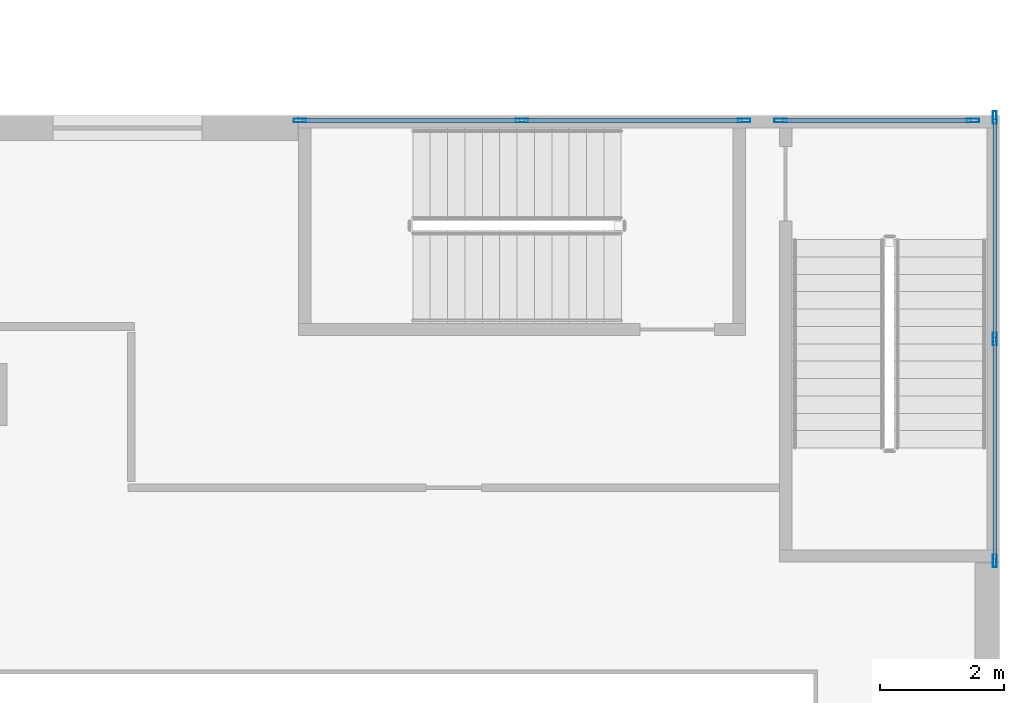
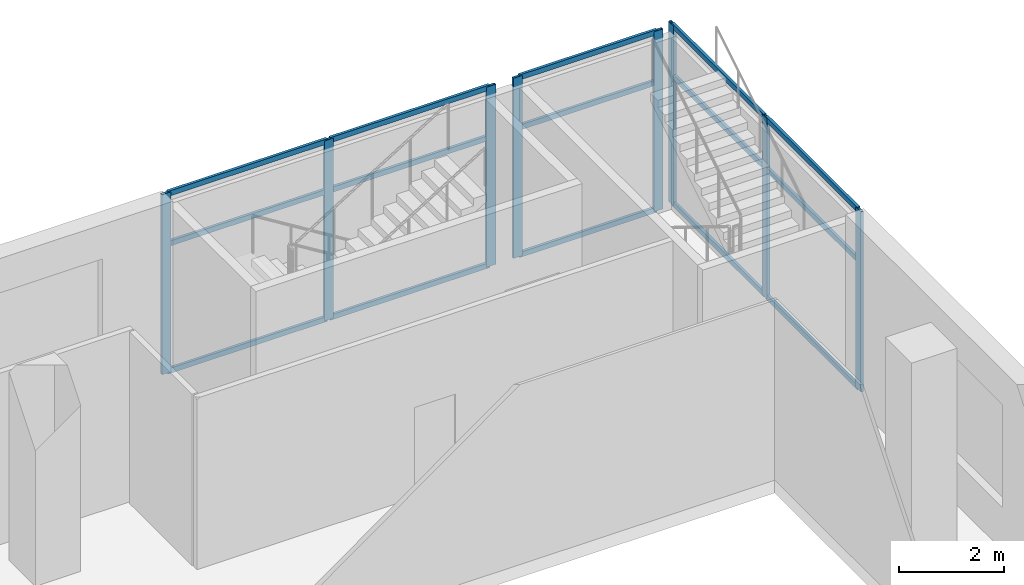
# One storey, part 7 of 21: 23 members, 3 elements without a shape of their own.
"""IFC4 building model written with IfcOpenShell, lengths in metres."""

from ifc_helpers import new_model, si_unit, direction, frame, origin, origin_2d, place, context, subcontext, project, spatial, hollow_rectangle, extrude, source, transform, mapped, material, material_profile, profile_set, type_object, element, aggregate, save


model = new_model("IFC4")

# Units and contexts
model_context = context("Model", 3, precision=1e-05, world=origin(), true_north=direction((0.0, 1.0)))
body_context = subcontext(model_context, "Body", "Model", "MODEL_VIEW")
ifc_project = project(units=[si_unit("LENGTHUNIT", "METRE"), si_unit("AREAUNIT", "SQUARE_METRE"), si_unit("VOLUMEUNIT", "CUBIC_METRE"), si_unit("PLANEANGLEUNIT", "RADIAN"), si_unit("MASSUNIT", "GRAM", prefix="KILO")], contexts=[model_context])

# Site, building, storey
site_placement = place(None, origin())
site = spatial("IfcSite", under=ifc_project, at=site_placement, CompositionType="ELEMENT")
building_placement = place(site_placement, origin())
building = spatial("IfcBuilding", under=site, at=building_placement, Name="Khomas Fold Tower", CompositionType="ELEMENT")
storey_placement = place(building_placement, frame((0.0, 0.0, 28.5)))
storey = spatial("IfcBuildingStorey", under=building, at=storey_placement, Name="L05", CompositionType="ELEMENT", Elevation=28.5)

# Curtain wall, members
ifc_material_1 = material(Name="Aluminium framed double glazing", Category="aluminium")
curtain_wall_type = type_object("IfcCurtainWallType", Name="Shopfront glazing PD-CW", PredefinedType="NOTDEFINED", material=ifc_material_1)
curtain_wall_1_placement = place(storey_placement, origin())
curtain_wall_1 = element("IfcCurtainWall", 1, at=curtain_wall_1_placement, inside=storey, type_object=curtain_wall_type, Name="Podium stair-tower glazing", PredefinedType="NOTDEFINED")
ifc_material_2 = material(Name="Aluminium", Category="aluminium")
ifc_material_profile_1 = material_profile(ifc_material_2, hollow_rectangle(XDim=0.06005859375, YDim=0.1201171875, WallThickness=0.00390625, at=origin_2d()), Name="Shopfront glazing transom PD-CW-T")
ifc_profile_set_1 = profile_set([ifc_material_profile_1], Name="Aluminium")
member_type_1 = type_object("IfcMemberType", Name="Shopfront glazing transom PD-CW-T", PredefinedType="USERDEFINED", material=ifc_profile_set_1)
shared_shape_1 = source(origin(), body_context, "Body", "SweptSolid", [
    extrude(hollow_rectangle(XDim=0.06005859375, YDim=0.1201171875, WallThickness=0.00390625, at=origin_2d()), origin(), (0.0, 0.0, 1.0), 3.0400390625),
])
member_1_placement = place(storey_placement, frame((80.5400390625, 53.919921875, 0.030029296875), z_axis=(-1.0, 0.0, 0.0), x_axis=(0.0, -1.0, 0.0)))
member_1 = element("IfcMember", 2, at=member_1_placement, type_object=member_type_1, Name="PD-CW transom 1.1", ObjectType="TRANSOM", PredefinedType="USERDEFINED", context=body_context, shape_type="MappedRepresentation", body=[
    mapped(shared_shape_1, transform((0.0, 0.0, 0.0))),
])
member_2_placement = place(storey_placement, frame((80.5400390625, 53.919921875, 3.0), z_axis=(-1.0, 0.0, 0.0), x_axis=(0.0, -1.0, 0.0)))
member_2 = element("IfcMember", 3, at=member_2_placement, type_object=member_type_1, Name="PD-CW transom 1.2", ObjectType="TRANSOM", PredefinedType="USERDEFINED", context=body_context, shape_type="MappedRepresentation", body=[
    mapped(shared_shape_1, transform((0.0, 0.0, 0.0))),
])
member_3_placement = place(storey_placement, frame((80.5400390625, 53.919921875, 4.169921875), z_axis=(-1.0, 0.0, 0.0), x_axis=(0.0, -1.0, 0.0)))
member_3 = element("IfcMember", 4, at=member_3_placement, type_object=member_type_1, Name="PD-CW transom 1.3", ObjectType="TRANSOM", PredefinedType="USERDEFINED", context=body_context, shape_type="MappedRepresentation", body=[
    mapped(shared_shape_1, transform((0.0, 0.0, 0.0))),
])

curtain_wall_2_placement = place(storey_placement, origin())
curtain_wall_2 = element("IfcCurtainWall", 5, at=curtain_wall_2_placement, inside=storey, type_object=curtain_wall_type, Name="Podium stair-tower glazing", PredefinedType="NOTDEFINED")
shared_shape_2 = source(origin(), body_context, "Body", "SweptSolid", [
    extrude(hollow_rectangle(XDim=0.06005859375, YDim=0.1201171875, WallThickness=0.00390625, at=origin_2d()), origin(), (0.0, 0.0, 1.0), 3.52001953125),
])
member_4_placement = place(storey_placement, frame((76.85009765625, 53.919921875, 0.030029296875), z_axis=(-1.0, 0.0, 0.0), x_axis=(0.0, -1.0, 0.0)))
member_4 = element("IfcMember", 6, at=member_4_placement, type_object=member_type_1, Name="PD-CW transom 1.1", ObjectType="TRANSOM", PredefinedType="USERDEFINED", context=body_context, shape_type="MappedRepresentation", body=[
    mapped(shared_shape_2, transform((0.0, 0.0, 0.0))),
])
member_5_placement = place(storey_placement, frame((76.85009765625, 53.919921875, 3.0), z_axis=(-1.0, 0.0, 0.0), x_axis=(0.0, -1.0, 0.0)))
member_5 = element("IfcMember", 7, at=member_5_placement, type_object=member_type_1, Name="PD-CW transom 1.2", ObjectType="TRANSOM", PredefinedType="USERDEFINED", context=body_context, shape_type="MappedRepresentation", body=[
    mapped(shared_shape_2, transform((0.0, 0.0, 0.0))),
])
member_6_placement = place(storey_placement, frame((76.85009765625, 53.919921875, 4.169921875), z_axis=(-1.0, 0.0, 0.0), x_axis=(0.0, -1.0, 0.0)))
member_6 = element("IfcMember", 8, at=member_6_placement, type_object=member_type_1, Name="PD-CW transom 1.3", ObjectType="TRANSOM", PredefinedType="USERDEFINED", context=body_context, shape_type="MappedRepresentation", body=[
    mapped(shared_shape_2, transform((0.0, 0.0, 0.0))),
])
member_7_placement = place(storey_placement, frame((73.27001953125, 53.919921875, 0.030029296875), z_axis=(-1.0, 0.0, 0.0), x_axis=(0.0, -1.0, 0.0)))
member_7 = element("IfcMember", 9, at=member_7_placement, type_object=member_type_1, Name="PD-CW transom 2.1", ObjectType="TRANSOM", PredefinedType="USERDEFINED", context=body_context, shape_type="MappedRepresentation", body=[
    mapped(shared_shape_2, transform((0.0, 0.0, 0.0))),
])
member_8_placement = place(storey_placement, frame((73.27001953125, 53.919921875, 3.0), z_axis=(-1.0, 0.0, 0.0), x_axis=(0.0, -1.0, 0.0)))
member_8 = element("IfcMember", 10, at=member_8_placement, type_object=member_type_1, Name="PD-CW transom 2.2", ObjectType="TRANSOM", PredefinedType="USERDEFINED", context=body_context, shape_type="MappedRepresentation", body=[
    mapped(shared_shape_2, transform((0.0, 0.0, 0.0))),
])
member_9_placement = place(storey_placement, frame((73.27001953125, 53.919921875, 4.169921875), z_axis=(-1.0, 0.0, 0.0), x_axis=(0.0, -1.0, 0.0)))
member_9 = element("IfcMember", 11, at=member_9_placement, type_object=member_type_1, Name="PD-CW transom 2.3", ObjectType="TRANSOM", PredefinedType="USERDEFINED", context=body_context, shape_type="MappedRepresentation", body=[
    mapped(shared_shape_2, transform((0.0, 0.0, 0.0))),
])

curtain_wall_3_placement = place(storey_placement, origin())
curtain_wall_3 = element("IfcCurtainWall", 12, at=curtain_wall_3_placement, inside=storey, type_object=curtain_wall_type, Name="Podium stair-tower glazing", PredefinedType="NOTDEFINED")
shared_shape_3 = source(origin(), body_context, "Body", "SweptSolid", [
    extrude(hollow_rectangle(XDim=0.06005859375, YDim=0.1201171875, WallThickness=0.00390625, at=origin_2d()), origin(), (0.0, 0.0, 1.0), 3.514892578125),
])
member_10_placement = place(storey_placement, frame((80.919921875, 46.85009765625, 0.030029296875), z_axis=(0.0, 1.0, 0.0), x_axis=(-1.0, 0.0, 0.0)))
member_10 = element("IfcMember", 13, at=member_10_placement, type_object=member_type_1, Name="PD-CW transom 1.1", ObjectType="TRANSOM", PredefinedType="USERDEFINED", context=body_context, shape_type="MappedRepresentation", body=[
    mapped(shared_shape_3, transform((0.0, 0.0, 0.0))),
])
member_11_placement = place(storey_placement, frame((80.919921875, 46.85009765625, 3.0), z_axis=(0.0, 1.0, 0.0), x_axis=(-1.0, 0.0, 0.0)))
member_11 = element("IfcMember", 14, at=member_11_placement, type_object=member_type_1, Name="PD-CW transom 1.2", ObjectType="TRANSOM", PredefinedType="USERDEFINED", context=body_context, shape_type="MappedRepresentation", body=[
    mapped(shared_shape_3, transform((0.0, 0.0, 0.0))),
])
member_12_placement = place(storey_placement, frame((80.919921875, 46.85009765625, 4.169921875), z_axis=(0.0, 1.0, 0.0), x_axis=(-1.0, 0.0, 0.0)))
member_12 = element("IfcMember", 15, at=member_12_placement, type_object=member_type_1, Name="PD-CW transom 1.3", ObjectType="TRANSOM", PredefinedType="USERDEFINED", context=body_context, shape_type="MappedRepresentation", body=[
    mapped(shared_shape_3, transform((0.0, 0.0, 0.0))),
])
member_13_placement = place(storey_placement, frame((80.919921875, 50.425048828125, 0.030029296875), z_axis=(0.0, 1.0, 0.0), x_axis=(-1.0, 0.0, 0.0)))
member_13 = element("IfcMember", 16, at=member_13_placement, type_object=member_type_1, Name="PD-CW transom 2.1", ObjectType="TRANSOM", PredefinedType="USERDEFINED", context=body_context, shape_type="MappedRepresentation", body=[
    mapped(shared_shape_3, transform((0.0, 0.0, 0.0))),
])
member_14_placement = place(storey_placement, frame((80.919921875, 50.425048828125, 3.0), z_axis=(0.0, 1.0, 0.0), x_axis=(-1.0, 0.0, 0.0)))
member_14 = element("IfcMember", 17, at=member_14_placement, type_object=member_type_1, Name="PD-CW transom 2.2", ObjectType="TRANSOM", PredefinedType="USERDEFINED", context=body_context, shape_type="MappedRepresentation", body=[
    mapped(shared_shape_3, transform((0.0, 0.0, 0.0))),
])
member_15_placement = place(storey_placement, frame((80.919921875, 50.425048828125, 4.169921875), z_axis=(0.0, 1.0, 0.0), x_axis=(-1.0, 0.0, 0.0)))
member_15 = element("IfcMember", 18, at=member_15_placement, type_object=member_type_1, Name="PD-CW transom 2.3", ObjectType="TRANSOM", PredefinedType="USERDEFINED", context=body_context, shape_type="MappedRepresentation", body=[
    mapped(shared_shape_3, transform((0.0, 0.0, 0.0))),
])
ifc_material_3 = material(Name="Aluminium", Category="aluminium")
ifc_material_profile_2 = material_profile(ifc_material_3, hollow_rectangle(XDim=0.06005859375, YDim=0.199951171875, WallThickness=0.00390625, at=origin_2d()), Name="Shopfront glazing mullion PD-CW-M")
ifc_profile_set_2 = profile_set([ifc_material_profile_2], Name="Aluminium")
member_type_2 = type_object("IfcMemberType", Name="Shopfront glazing mullion PD-CW-M", PredefinedType="MULLION", material=ifc_profile_set_2)
shared_shape_4 = source(origin(), body_context, "Body", "SweptSolid", [
    extrude(hollow_rectangle(XDim=0.06005859375, YDim=0.199951171875, WallThickness=0.00390625, at=origin_2d()), origin(), (0.0, 0.0, 1.0), 4.199951171875),
])
member_16_placement = place(storey_placement, frame((80.919921875, 46.820068359375, 0.0), z_axis=(0.0, 0.0, 1.0), x_axis=(-1.0, 0.0, 0.0)))
member_16 = element("IfcMember", 19, at=member_16_placement, type_object=member_type_2, Name="PD-CW mullion 1", PredefinedType="MULLION", context=body_context, shape_type="MappedRepresentation", body=[
    mapped(shared_shape_4, transform((0.0, 0.0, 0.0))),
])
member_17_placement = place(storey_placement, frame((80.919921875, 50.39501953125, 0.0), z_axis=(0.0, 0.0, 1.0), x_axis=(-1.0, 0.0, 0.0)))
member_17 = element("IfcMember", 20, at=member_17_placement, type_object=member_type_2, Name="PD-CW mullion 2", PredefinedType="MULLION", context=body_context, shape_type="MappedRepresentation", body=[
    mapped(shared_shape_4, transform((0.0, 0.0, 0.0))),
])
member_18_placement = place(storey_placement, frame((80.919921875, 53.969970703125, 0.0), z_axis=(0.0, 0.0, 1.0), x_axis=(-1.0, 0.0, 0.0)))
member_18 = element("IfcMember", 21, at=member_18_placement, type_object=member_type_2, Name="PD-CW mullion 3", PredefinedType="MULLION", context=body_context, shape_type="MappedRepresentation", body=[
    mapped(shared_shape_4, transform((0.0, 0.0, 0.0))),
])
aggregate(curtain_wall_3, [member_16, member_17, member_18, member_10, member_11, member_12, member_13, member_14, member_15])

# Member
member_19_placement = place(storey_placement, frame((80.570068359375, 53.919921875, 0.0), z_axis=(0.0, 0.0, 1.0), x_axis=(0.0, -1.0, 0.0)))
member_19 = element("IfcMember", 22, at=member_19_placement, type_object=member_type_2, Name="PD-CW mullion 1", PredefinedType="MULLION", context=body_context, shape_type="MappedRepresentation", body=[
    mapped(shared_shape_4, transform((0.0, 0.0, 0.0))),
])

member_20_placement = place(storey_placement, frame((77.469970703125, 53.919921875, 0.0), z_axis=(0.0, 0.0, 1.0), x_axis=(0.0, -1.0, 0.0)))
member_20 = element("IfcMember", 23, at=member_20_placement, type_object=member_type_2, Name="PD-CW mullion 2", PredefinedType="MULLION", context=body_context, shape_type="MappedRepresentation", body=[
    mapped(shared_shape_4, transform((0.0, 0.0, 0.0))),
])

aggregate(curtain_wall_1, [member_19, member_20, member_1, member_2, member_3])

member_21_placement = place(storey_placement, frame((76.8798828125, 53.919921875, 0.0), z_axis=(0.0, 0.0, 1.0), x_axis=(0.0, -1.0, 0.0)))
member_21 = element("IfcMember", 24, at=member_21_placement, type_object=member_type_2, Name="PD-CW mullion 1", PredefinedType="MULLION", context=body_context, shape_type="MappedRepresentation", body=[
    mapped(shared_shape_4, transform((0.0, 0.0, 0.0))),
])

member_22_placement = place(storey_placement, frame((73.300048828125, 53.919921875, 0.0), z_axis=(0.0, 0.0, 1.0), x_axis=(0.0, -1.0, 0.0)))
member_22 = element("IfcMember", 25, at=member_22_placement, type_object=member_type_2, Name="PD-CW mullion 2", PredefinedType="MULLION", context=body_context, shape_type="MappedRepresentation", body=[
    mapped(shared_shape_4, transform((0.0, 0.0, 0.0))),
])

member_23_placement = place(storey_placement, frame((69.719970703125, 53.919921875, 0.0), z_axis=(0.0, 0.0, 1.0), x_axis=(0.0, -1.0, 0.0)))
member_23 = element("IfcMember", 26, at=member_23_placement, type_object=member_type_2, Name="PD-CW mullion 3", PredefinedType="MULLION", context=body_context, shape_type="MappedRepresentation", body=[
    mapped(shared_shape_4, transform((0.0, 0.0, 0.0))),
])

aggregate(curtain_wall_2, [member_21, member_22, member_23, member_4, member_5, member_6, member_7, member_8, member_9])

save(model, "model.ifc")
